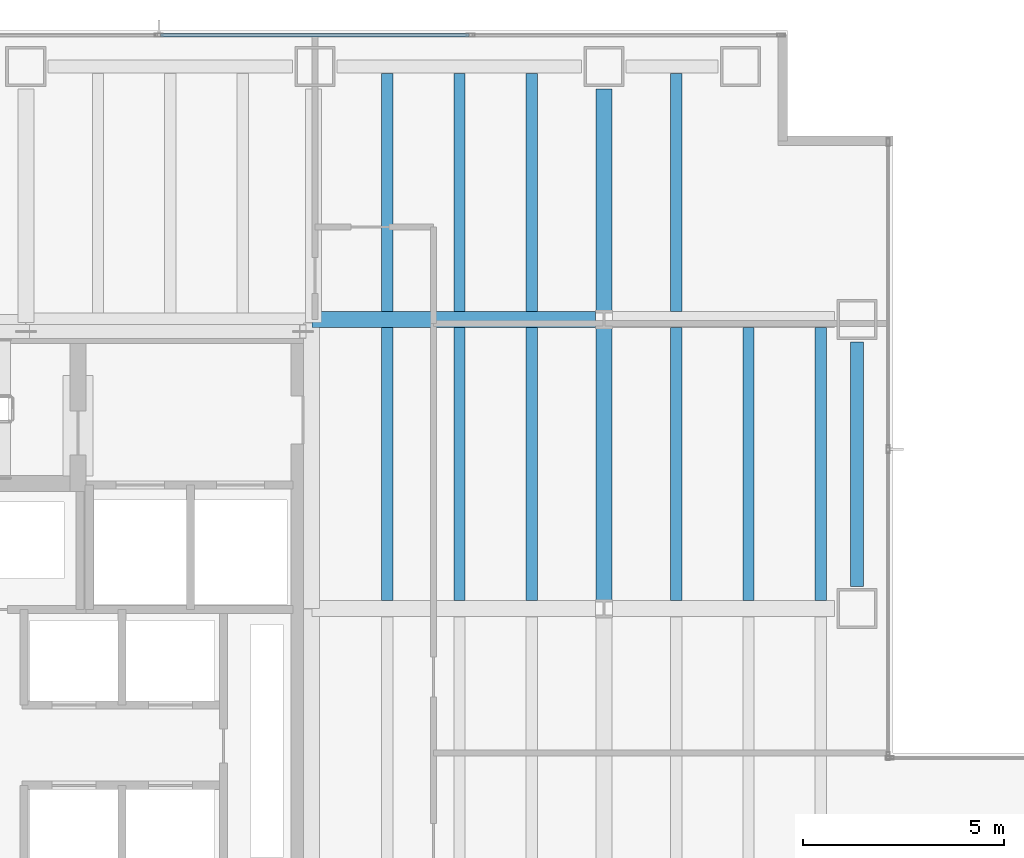
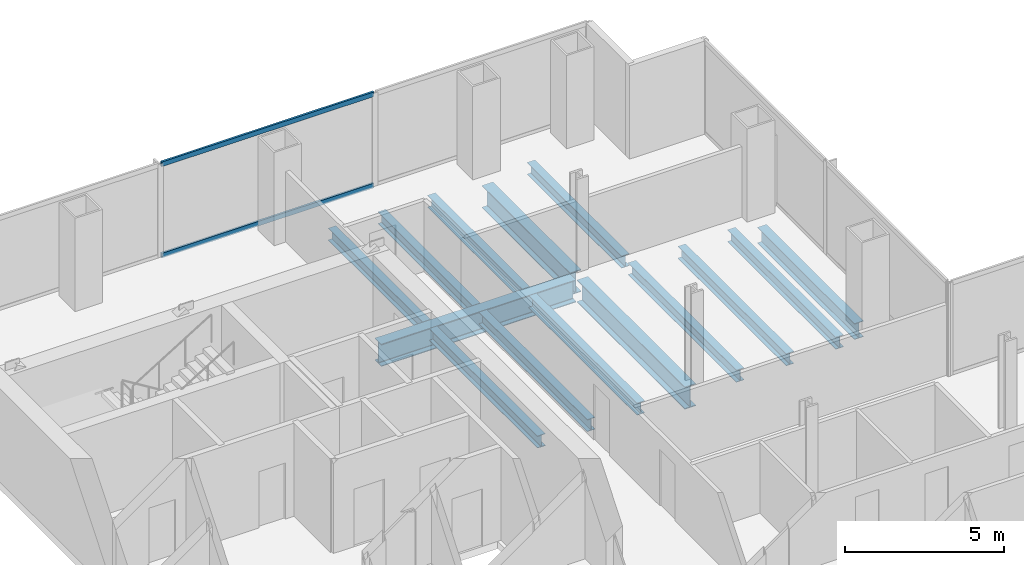
# One storey, part 17 of 25: 14 beams, 2 members, 1 element without a shape of its own.
"""IFC4 building model written with IfcOpenShell, lengths in metres."""

from ifc_helpers import new_model, si_unit, direction, frame, origin, origin_2d, place, context, subcontext, project, spatial, hollow_rectangle, i_section, extrude, material, material_profile, profile_set, type_object, element, aggregate, save


model = new_model("IFC4")

# Units and contexts
model_context = context("Model", 3, precision=1e-05, world=origin(), true_north=direction((0.0, 1.0)))
body_context = subcontext(model_context, "Body", "Model", "MODEL_VIEW")
ifc_project = project(units=[si_unit("LENGTHUNIT", "METRE"), si_unit("AREAUNIT", "SQUARE_METRE"), si_unit("VOLUMEUNIT", "CUBIC_METRE"), si_unit("PLANEANGLEUNIT", "RADIAN"), si_unit("MASSUNIT", "GRAM", prefix="KILO")], contexts=[model_context])

# Site, building, storey
site_placement = place(None, origin())
site = spatial("IfcSite", under=ifc_project, at=site_placement, CompositionType="ELEMENT")
building_placement = place(site_placement, origin())
building = spatial("IfcBuilding", under=site, at=building_placement, Name="Cobrela Telecom Tower", CompositionType="ELEMENT")
storey_placement = place(building_placement, frame((0.0, 0.0, 46.550048828125)))
storey = spatial("IfcBuildingStorey", under=building, at=storey_placement, Name="L11", CompositionType="ELEMENT", Elevation=46.550048828125)

# Beams
ifc_material_1 = material(Name="Steel ASTM A992 Grade 50", Category="steel")
ifc_material_profile_1 = material_profile(ifc_material_1, i_section(OverallWidth=0.39892578125, OverallDepth=0.85595703125, WebThickness=0.018310546875, FlangeThickness=0.029296875, FilletRadius=0.02001953125, at=origin_2d()), Name="W33X201")
ifc_profile_set_1 = profile_set([ifc_material_profile_1], Name="Steel ASTM A992 Grade 50")
beam_type_1 = type_object("IfcBeamType", Name="BM-GIRD-03", PredefinedType="USERDEFINED", material=ifc_profile_set_1)
beam_1_placement = place(storey_placement, frame((14.324951171875, 36.0, -0.7080078125), z_axis=(1.0, 0.0, 0.0), x_axis=(0.0, 1.0, 0.0)))
element("IfcBeam", 1, at=beam_1_placement, inside=storey, type_object=beam_type_1, Name="L11 Primary Girder X27", ObjectType="GIRDER", PredefinedType="USERDEFINED", context=body_context, shape_type="SweptSolid", body=[
    extrude(i_section(OverallWidth=0.39892578125, OverallDepth=0.85595703125, WebThickness=0.018310546875, FlangeThickness=0.029296875, FilletRadius=0.02001953125, at=origin_2d()), origin(), (0.0, 0.0, 1.0), 7.05908203125),
])
beam_2_placement = place(storey_placement, frame((21.60009765625, 29.01611328125, -0.7080078125), z_axis=(0.0, 1.0, 0.0), x_axis=(-1.0, 0.0, 0.0)))
element("IfcBeam", 2, at=beam_2_placement, inside=storey, type_object=beam_type_1, Name="L11 Primary Girder Y44", ObjectType="GIRDER", PredefinedType="USERDEFINED", context=body_context, shape_type="SweptSolid", body=[
    extrude(i_section(OverallWidth=0.39892578125, OverallDepth=0.85595703125, WebThickness=0.018310546875, FlangeThickness=0.029296875, FilletRadius=0.02001953125, at=origin_2d()), origin(), (0.0, 0.0, 1.0), 6.767822265625),
])
beam_3_placement = place(storey_placement, frame((21.60009765625, 36.216064453125, -0.7080078125), z_axis=(0.0, 1.0, 0.0), x_axis=(-1.0, 0.0, 0.0)))
element("IfcBeam", 3, at=beam_3_placement, inside=storey, type_object=beam_type_1, Name="L11 Primary Girder Y45", ObjectType="GIRDER", PredefinedType="USERDEFINED", context=body_context, shape_type="SweptSolid", body=[
    extrude(i_section(OverallWidth=0.39892578125, OverallDepth=0.85595703125, WebThickness=0.018310546875, FlangeThickness=0.029296875, FilletRadius=0.02001953125, at=origin_2d()), origin(), (0.0, 0.0, 1.0), 5.529052734375),
])
ifc_material_profile_2 = material_profile(ifc_material_1, i_section(OverallWidth=0.281982421875, OverallDepth=0.467041015625, WebThickness=0.01220703125, FlangeThickness=0.01953125, FilletRadius=0.012939453125, at=origin_2d()), Name="W18X86")
ifc_profile_set_2 = profile_set([ifc_material_profile_2], Name="Steel ASTM A992 Grade 50")
beam_type_2 = type_object("IfcBeamType", Name="BM-JOIST-02", PredefinedType="JOIST", material=ifc_profile_set_2)
beam_4_placement = place(storey_placement, frame((16.199951171875, 29.00439453125, -0.513427734375), z_axis=(0.0, 1.0, 0.0), x_axis=(-1.0, 0.0, 0.0)))
element("IfcBeam", 4, at=beam_4_placement, inside=storey, type_object=beam_type_2, Name="L11 Secondary Composite Floor Beam J11", PredefinedType="JOIST", context=body_context, shape_type="SweptSolid", body=[
    extrude(i_section(OverallWidth=0.281982421875, OverallDepth=0.467041015625, WebThickness=0.01220703125, FlangeThickness=0.01953125, FilletRadius=0.012939453125, at=origin_2d()), origin(), (0.0, 0.0, 1.0), 6.791015625),
])
beam_5_placement = place(storey_placement, frame((16.199951171875, 36.20458984375, -0.513427734375), z_axis=(0.0, 1.0, 0.0), x_axis=(-1.0, 0.0, 0.0)))
element("IfcBeam", 5, at=beam_5_placement, inside=storey, type_object=beam_type_2, Name="L11 Secondary Composite Floor Beam J12", PredefinedType="JOIST", context=body_context, shape_type="SweptSolid", body=[
    extrude(i_section(OverallWidth=0.281982421875, OverallDepth=0.467041015625, WebThickness=0.01220703125, FlangeThickness=0.01953125, FilletRadius=0.012939453125, at=origin_2d()), origin(), (0.0, 0.0, 1.0), 5.927978515625),
])
beam_6_placement = place(storey_placement, frame((18.0, 29.00439453125, -0.513427734375), z_axis=(0.0, 1.0, 0.0), x_axis=(-1.0, 0.0, 0.0)))
element("IfcBeam", 6, at=beam_6_placement, inside=storey, type_object=beam_type_2, Name="L11 Secondary Composite Floor Beam J17", PredefinedType="JOIST", context=body_context, shape_type="SweptSolid", body=[
    extrude(i_section(OverallWidth=0.281982421875, OverallDepth=0.467041015625, WebThickness=0.01220703125, FlangeThickness=0.01953125, FilletRadius=0.012939453125, at=origin_2d()), origin(), (0.0, 0.0, 1.0), 6.791015625),
])
beam_7_placement = place(storey_placement, frame((18.0, 36.20458984375, -0.513427734375), z_axis=(0.0, 1.0, 0.0), x_axis=(-1.0, 0.0, 0.0)))
element("IfcBeam", 7, at=beam_7_placement, inside=storey, type_object=beam_type_2, Name="L11 Secondary Composite Floor Beam J18", PredefinedType="JOIST", context=body_context, shape_type="SweptSolid", body=[
    extrude(i_section(OverallWidth=0.281982421875, OverallDepth=0.467041015625, WebThickness=0.01220703125, FlangeThickness=0.01953125, FilletRadius=0.012939453125, at=origin_2d()), origin(), (0.0, 0.0, 1.0), 5.927978515625),
])
beam_8_placement = place(storey_placement, frame((19.800048828125, 29.00439453125, -0.513427734375), z_axis=(0.0, 1.0, 0.0), x_axis=(-1.0, 0.0, 0.0)))
element("IfcBeam", 8, at=beam_8_placement, inside=storey, type_object=beam_type_2, Name="L11 Secondary Composite Floor Beam J23", PredefinedType="JOIST", context=body_context, shape_type="SweptSolid", body=[
    extrude(i_section(OverallWidth=0.281982421875, OverallDepth=0.467041015625, WebThickness=0.01220703125, FlangeThickness=0.01953125, FilletRadius=0.012939453125, at=origin_2d()), origin(), (0.0, 0.0, 1.0), 6.791015625),
])
beam_9_placement = place(storey_placement, frame((19.800048828125, 36.20458984375, -0.513427734375), z_axis=(0.0, 1.0, 0.0), x_axis=(-1.0, 0.0, 0.0)))
element("IfcBeam", 9, at=beam_9_placement, inside=storey, type_object=beam_type_2, Name="L11 Secondary Composite Floor Beam J24", PredefinedType="JOIST", context=body_context, shape_type="SweptSolid", body=[
    extrude(i_section(OverallWidth=0.281982421875, OverallDepth=0.467041015625, WebThickness=0.01220703125, FlangeThickness=0.01953125, FilletRadius=0.012939453125, at=origin_2d()), origin(), (0.0, 0.0, 1.0), 5.927978515625),
])
beam_10_placement = place(storey_placement, frame((23.39990234375, 29.00439453125, -0.513427734375), z_axis=(0.0, 1.0, 0.0), x_axis=(-1.0, 0.0, 0.0)))
element("IfcBeam", 10, at=beam_10_placement, inside=storey, type_object=beam_type_2, Name="L11 Secondary Composite Floor Beam J29", PredefinedType="JOIST", context=body_context, shape_type="SweptSolid", body=[
    extrude(i_section(OverallWidth=0.281982421875, OverallDepth=0.467041015625, WebThickness=0.01220703125, FlangeThickness=0.01953125, FilletRadius=0.012939453125, at=origin_2d()), origin(), (0.0, 0.0, 1.0), 6.791015625),
])
beam_11_placement = place(storey_placement, frame((23.39990234375, 36.20458984375, -0.513427734375), z_axis=(0.0, 1.0, 0.0), x_axis=(-1.0, 0.0, 0.0)))
element("IfcBeam", 11, at=beam_11_placement, inside=storey, type_object=beam_type_2, Name="L11 Secondary Composite Floor Beam J30", PredefinedType="JOIST", context=body_context, shape_type="SweptSolid", body=[
    extrude(i_section(OverallWidth=0.281982421875, OverallDepth=0.467041015625, WebThickness=0.01220703125, FlangeThickness=0.01953125, FilletRadius=0.012939453125, at=origin_2d()), origin(), (0.0, 0.0, 1.0), 5.927978515625),
])
for number, where, z_axis, x_axis, name in (
    (12, (25.199951171875, 29.00439453125, -0.513427734375), (0.0, 1.0, 0.0), (-1.0, 0.0, 0.0), "L11 Secondary Composite Floor Beam J35"),
    (13, (27.0, 29.00439453125, -0.513427734375), (0.0, 1.0, 0.0), (-1.0, 0.0, 0.0), "L11 Secondary Composite Floor Beam J40"),
):
    element("IfcBeam", number, at=place(storey_placement, frame(where, z_axis=z_axis, x_axis=x_axis)), inside=storey, type_object=beam_type_2, Name=name, PredefinedType="JOIST", context=body_context, shape_type="SweptSolid", body=[
        extrude(i_section(OverallWidth=0.281982421875, OverallDepth=0.467041015625, WebThickness=0.01220703125, FlangeThickness=0.01953125, FilletRadius=0.012939453125, at=origin_2d()), origin(), (0.0, 0.0, 1.0), 6.791015625),
    ])
ifc_material_profile_3 = material_profile(ifc_material_1, i_section(OverallWidth=0.324951171875, OverallDepth=0.612060546875, WebThickness=0.0126953125, FlangeThickness=0.01904296875, FilletRadius=0.014892578125, at=origin_2d()), Name="W24X104")
ifc_profile_set_3 = profile_set([ifc_material_profile_3], Name="Steel ASTM A992 Grade 50")
beam_type_3 = type_object("IfcBeamType", Name="BM-SPAND-02", PredefinedType="SPANDREL", material=ifc_profile_set_3)
beam_12_placement = place(storey_placement, frame((27.89990234375, 29.35498046875, -0.5859375), z_axis=(0.0, 1.0, 0.0), x_axis=(-1.0, 0.0, 0.0)))
element("IfcBeam", 14, at=beam_12_placement, inside=storey, type_object=beam_type_3, Name="L11 Perimeter Spandrel Y46", PredefinedType="SPANDREL", context=body_context, shape_type="SweptSolid", body=[
    extrude(i_section(OverallWidth=0.324951171875, OverallDepth=0.612060546875, WebThickness=0.0126953125, FlangeThickness=0.01904296875, FilletRadius=0.014892578125, at=origin_2d()), origin(), (0.0, 0.0, 1.0), 6.090087890625),
])

# Curtain wall, members
ifc_material_2 = material(Name="Anodized Bronze Aluminium 6063-T6", Category="aluminium")
curtain_wall_type = type_object("IfcCurtainWallType", Name="CW-SYS-DATA", PredefinedType="USERDEFINED", material=ifc_material_2)
curtain_wall_placement = place(storey_placement, origin())
curtain_wall = element("IfcCurtainWall", 15, at=curtain_wall_placement, inside=storey, type_object=curtain_wall_type, Name="L11 Unitised Bronze Curtain Wall 07", ObjectType="UNITISED CURTAIN WALL", PredefinedType="USERDEFINED")
ifc_material_profile_4 = material_profile(ifc_material_2, hollow_rectangle(XDim=0.074951171875, YDim=0.179931640625, WallThickness=0.00390625, at=origin_2d()), Name="ALU 75x180x4")
ifc_profile_set_4 = profile_set([ifc_material_profile_4], Name="Anodized Bronze Aluminium 6063-T6")
member_type = type_object("IfcMemberType", Name="CW-SYS-DATA-TRN", PredefinedType="USERDEFINED", material=ifc_profile_set_4)
member_1_placement = place(storey_placement, frame((10.556640625, 43.080078125, 0.037353515625), z_axis=(1.0, 0.0, 0.0), x_axis=(0.0, 1.0, 0.0)))
member_1 = element("IfcMember", 16, at=member_1_placement, type_object=member_type, Name="CW-DATA transom 2.1", ObjectType="TRANSOM", PredefinedType="USERDEFINED", context=body_context, shape_type="SweptSolid", body=[
    extrude(hollow_rectangle(XDim=0.074951171875, YDim=0.179931640625, WallThickness=0.00390625, at=origin_2d()), origin(), (0.0, 0.0, 1.0), 7.686767578125),
])
member_2_placement = place(storey_placement, frame((10.556640625, 43.080078125, 3.532470703125), z_axis=(1.0, 0.0, 0.0), x_axis=(0.0, 1.0, 0.0)))
member_2 = element("IfcMember", 17, at=member_2_placement, type_object=member_type, Name="CW-DATA transom 2.2", ObjectType="TRANSOM", PredefinedType="USERDEFINED", context=body_context, shape_type="SweptSolid", body=[
    extrude(hollow_rectangle(XDim=0.074951171875, YDim=0.179931640625, WallThickness=0.00390625, at=origin_2d()), origin(), (0.0, 0.0, 1.0), 7.686767578125),
])
aggregate(curtain_wall, [member_1, member_2])

save(model, "model.ifc")
